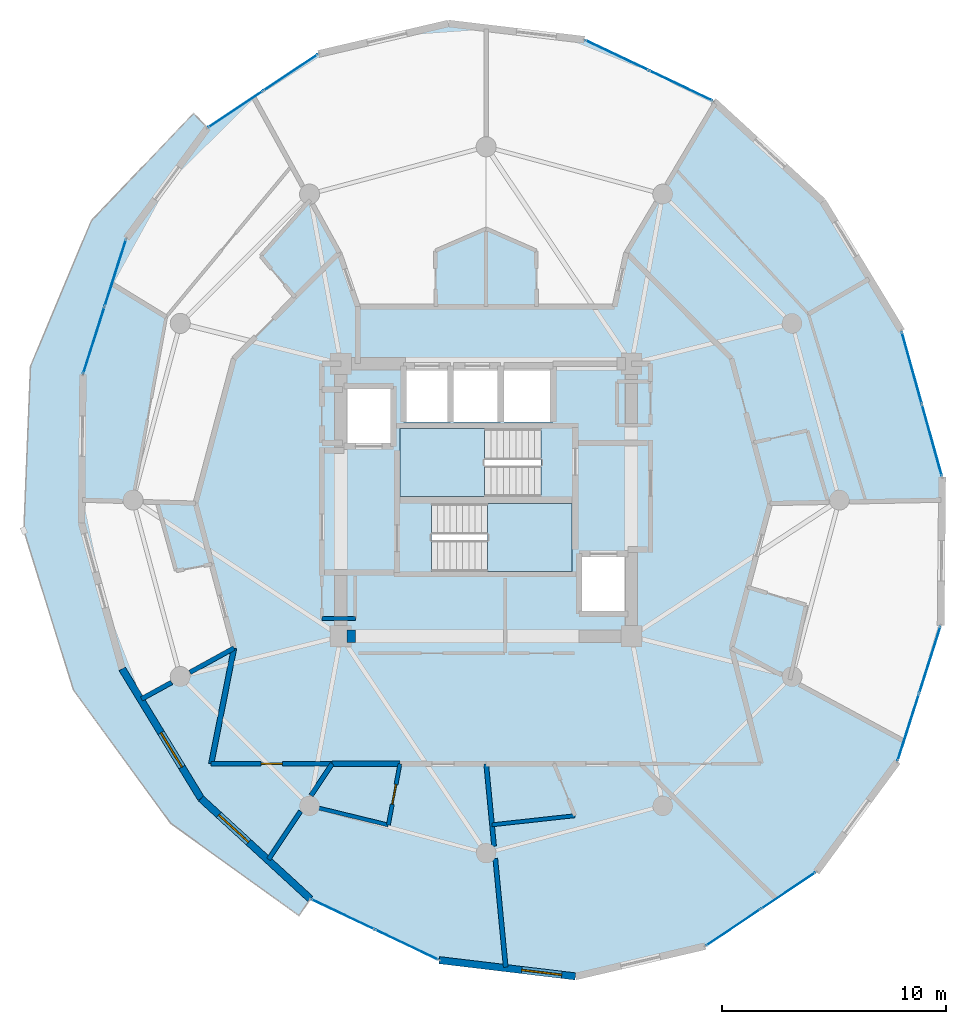
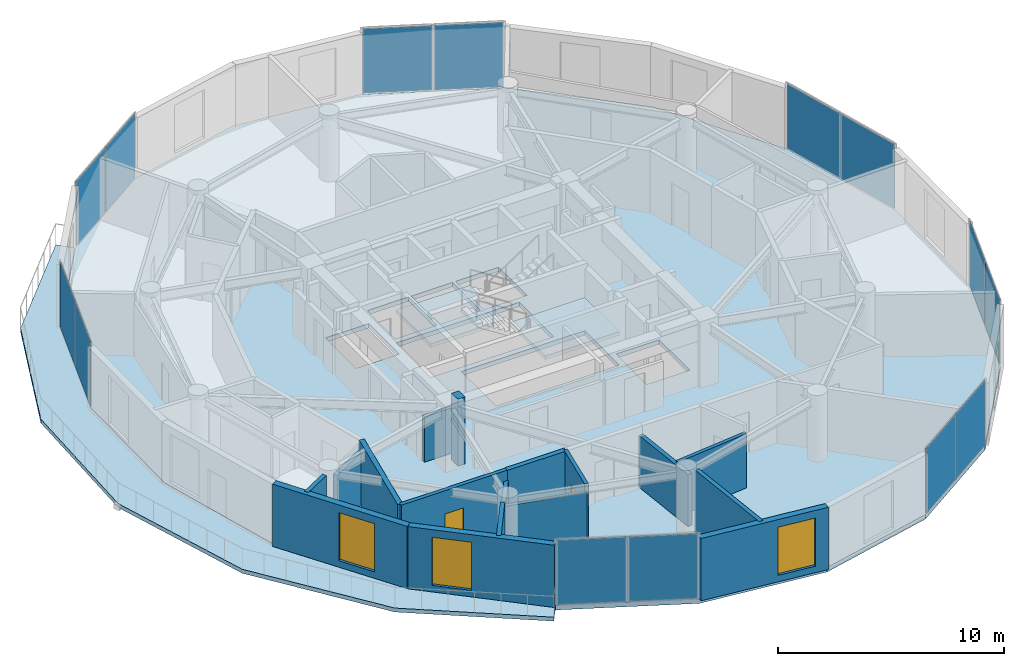
# One storey, part 14 of 20: 17 walls, 14 plates, 4 slabs, 3 windows, 2 doors, 5 openings, 9 elements without a shape of their own.
"""IFC4 building model written with IfcOpenShell, lengths in metres."""

from ifc_helpers import new_model, si_unit, direction, frame, frame_2d, origin, origin_2d, place, context, subcontext, project, spatial, polyline, rectangle, outline, extrude, source, transform, mapped, material, layer, layer_set, type_object, element, fill, aggregate, save


model = new_model("IFC4")

# Units and contexts
model_context = context("Model", 3, precision=1e-05, world=origin(), true_north=direction((0.0, 1.0)))
body_context = subcontext(model_context, "Body", "Model", "MODEL_VIEW")
ifc_project = project(units=[si_unit("LENGTHUNIT", "METRE"), si_unit("AREAUNIT", "SQUARE_METRE"), si_unit("VOLUMEUNIT", "CUBIC_METRE"), si_unit("PLANEANGLEUNIT", "RADIAN"), si_unit("MASSUNIT", "GRAM", prefix="KILO")], contexts=[model_context])

# Site, building, storey
site_placement = place(None, origin())
site = spatial("IfcSite", under=ifc_project, at=site_placement, CompositionType="ELEMENT")
building_placement = place(site_placement, origin())
building = spatial("IfcBuilding", under=site, at=building_placement, Name="Solvirekh Grand Hotel", CompositionType="ELEMENT")
storey_placement = place(building_placement, frame((0.0, 0.0, 209.199951171875)))
storey = spatial("IfcBuildingStorey", under=building, at=storey_placement, Name="L54", CompositionType="ELEMENT", Elevation=209.199951171875)

# Slab
ifc_material_1 = material(Name="Concrete C50/60", Category="concrete")
ifc_layer_1 = layer(ifc_material_1, 0.215087890625)
ifc_layer_set_1 = layer_set([ifc_layer_1], Name="Concrete C50/60")
slab_type_1 = type_object("IfcSlabType", Name="ExtCrescentBalc_215", PredefinedType="FLOOR", material=ifc_layer_set_1)
slab_1_placement = place(storey_placement, frame((0.0, 0.0, -0.21484375)))
element("IfcSlab", 1, at=slab_1_placement, inside=storey, type_object=slab_type_1, Name="L54 sweeping crescent balcony slab", PredefinedType="FLOOR", context=body_context, shape_type="SweptSolid", body=[
    extrude(outline(polyline([(-13.089111328125, 17.2919921875), (-17.657958984375, 12.490966796875), (-20.382080078125, 5.98388671875), (-20.679931640625, -1.364990234375), (-18.458984375, -8.501953125), (-14.110107421875, -14.462890625), (-8.373046875, -18.589111328125), (-7.866943359375, -17.843994140625), (-12.7548828125, -13.35498046875), (-16.281982421875, -7.55810546875), (-18.10205078125, -1.02197265625), (-18.0380859375, 5.614990234375), (-16.095947265625, 11.701904296875), (-12.465087890625, 16.64306640625), (-13.089111328125, 17.2919921875)])), origin(), (0.0, 0.0, 1.0), 0.21484375),
])

# Stair, slab
ifc_material_2 = material(Name="Concrete C40/50", Category="concrete")
stair_type = type_object("IfcStairType", Name="Stair_Core_1450", PredefinedType="HALF_TURN_STAIR", material=ifc_material_2)
stair_1_placement = place(storey_placement, origin())
stair_1 = element("IfcStair", 2, at=stair_1_placement, inside=storey, type_object=stair_type, Name="L54 Enclosed exit stair ST-1", PredefinedType="HALF_TURN_STAIR")
ifc_layer_2 = layer(ifc_material_2, 0.199951171875)
ifc_layer_set_2 = layer_set([ifc_layer_2], Name="Concrete C40/50")
slab_type_2 = type_object("IfcSlabType", Name="Landing_Stair_200", PredefinedType="LANDING", material=ifc_layer_set_2)
slab_2_placement = place(storey_placement, frame((0.0, 0.0, 1.60009765625)))
slab_2 = element("IfcSlab", 3, at=slab_2_placement, type_object=slab_type_2, Name="ST-1 landing 1", PredefinedType="LANDING", context=body_context, shape_type="SweptSolid", body=[
    extrude(outline(polyline([(0.070068359375, -3.199951171875), (3.85009765625, -3.199951171875), (3.85009765625, -0.14990234375), (0.070068359375, -0.14990234375), (0.070068359375, -3.199951171875)])), origin(), (0.0, 0.0, 1.0), 0.199951171875),
])
aggregate(stair_1, [slab_2])

stair_2_placement = place(storey_placement, origin())
stair_2 = element("IfcStair", 4, at=stair_2_placement, inside=storey, type_object=stair_type, Name="L54 Enclosed exit stair ST-2", PredefinedType="HALF_TURN_STAIR")
slab_3_placement = place(storey_placement, frame((0.0, 0.0, 1.60009765625)))
slab_3 = element("IfcSlab", 5, at=slab_3_placement, type_object=slab_type_2, Name="ST-2 landing 1", PredefinedType="LANDING", context=body_context, shape_type="SweptSolid", body=[
    extrude(outline(polyline([(-0.070068359375, 3.199951171875), (-3.85009765625, 3.199951171875), (-3.85009765625, 0.14990234375), (-0.070068359375, 0.14990234375), (-0.070068359375, 3.199951171875)])), origin(), (0.0, 0.0, 1.0), 0.199951171875),
])
aggregate(stair_2, [slab_3])

# Slab
ifc_layer_3 = layer(ifc_material_2, 0.239990234375)
ifc_layer_set_3 = layer_set([ifc_layer_3], Name="Concrete C40/50")
slab_type_3 = type_object("IfcSlabType", Name="Slab_GuestZ3_240", PredefinedType="FLOOR", material=ifc_layer_set_3)
slab_4_placement = place(storey_placement, frame((0.0, 0.0, -0.239990234375)))
element("IfcSlab", 6, at=slab_4_placement, inside=storey, type_object=slab_type_3, Name="L54 structural floor slab", PredefinedType="FLOOR", context=body_context, shape_type="SweptSolid", body=[
    extrude(outline(polyline([(9.802001953125, -19.955078125), (14.764892578125, -16.64306640625), (18.39599609375, -11.701904296875), (20.337890625, -5.614990234375), (20.402099609375, 1.02197265625), (18.58203125, 7.55810546875), (15.054931640625, 13.35498046875), (10.1669921875, 17.843994140625), (4.39697265625, 20.5869140625), (-1.69189453125, 21.31396484375), (-7.501953125, 19.955078125), (-12.465087890625, 16.64306640625), (-16.095947265625, 11.701904296875), (-18.0380859375, 5.614990234375), (-18.10205078125, -1.02197265625), (-16.281982421875, -7.55810546875), (-12.7548828125, -13.35498046875), (-7.866943359375, -17.843994140625), (-2.096923828125, -20.5869140625), (3.991943359375, -21.31396484375), (9.802001953125, -19.955078125)]), holes=[polyline([(-2.444091796875, -0.14990234375), (3.85009765625, -0.14990234375), (3.85009765625, -3.199951171875), (-2.444091796875, -3.199951171875), (-2.444091796875, -0.14990234375)]), polyline([(2.444091796875, 0.14990234375), (-3.85009765625, 0.14990234375), (-3.85009765625, 3.199951171875), (2.444091796875, 3.199951171875), (2.444091796875, 0.14990234375)]), polyline([(-3.699951171875, 6.0), (-1.60009765625, 6.0), (-1.60009765625, 3.5), (-3.699951171875, 3.5), (-3.699951171875, 6.0)]), polyline([(-1.449951171875, 6.0), (0.64990234375, 6.0), (0.64990234375, 3.5), (-1.449951171875, 3.5), (-1.449951171875, 6.0)]), polyline([(0.800048828125, 6.0), (3.0, 6.0), (3.0, 3.5), (0.800048828125, 3.5), (0.800048828125, 6.0)]), polyline([(-6.35009765625, 5.10009765625), (-4.14990234375, 5.10009765625), (-4.14990234375, 2.39990234375), (-6.35009765625, 2.39990234375), (-6.35009765625, 5.10009765625)]), polyline([(4.14990234375, -2.39990234375), (6.35009765625, -2.39990234375), (6.35009765625, -5.10009765625), (4.14990234375, -5.10009765625), (4.14990234375, -2.39990234375)])]), origin(), (0.0, 0.0, 1.0), 0.239990234375),
])

# Curtain wall, plates
ifc_material_3 = material(Name="Anodized Bronze Aluminium 6063-T6", Category="aluminium")
ifc_layer_4 = layer(ifc_material_3, 0.159912109375)
ifc_layer_set_4 = layer_set([ifc_layer_4], Name="Anodized Bronze Aluminium 6063-T6")
curtain_wall_type = type_object("IfcCurtainWallType", Name="CW_Sys4_HighZoneFlushBronzeCW", PredefinedType="NOTDEFINED", material=ifc_layer_set_4)
curtain_wall_1_placement = place(storey_placement, origin())
curtain_wall_1 = element("IfcCurtainWall", 7, at=curtain_wall_1_placement, inside=storey, type_object=curtain_wall_type, Name="L54 unitised bronze-glass curtain wall CW-L54-C01", PredefinedType="NOTDEFINED")
ifc_material_4 = material(Name="Low-E Tinted Bronze Laminated Glass", Category="aluminium")
ifc_layer_5 = layer(ifc_material_4, 0.033935546875)
ifc_layer_set_5 = layer_set([ifc_layer_5], Name="Low-E Tinted Bronze Laminated Glass")
plate_type = type_object("IfcPlateType", Name="CWPanel_High_34", PredefinedType="CURTAIN_PANEL", material=ifc_layer_set_5)
shared_shape_1 = source(origin(), body_context, "Body", "SweptSolid", [
    extrude(rectangle(XDim=2.893310546875, YDim=0.033935546875, at=origin_2d()), origin(), (0.0, 0.0, 1.0), 3.489990234375),
])
plate_1_placement = place(storey_placement, frame((11.05517578125, -19.11865234375, 0.05517578125), z_axis=(0.0, 0.0, 1.0), x_axis=(0.83179236029, 0.555086902533, 0.0)))
plate_1 = element("IfcPlate", 8, at=plate_1_placement, type_object=plate_type, Name="U04 panel 1.1", PredefinedType="CURTAIN_PANEL", context=body_context, shape_type="MappedRepresentation", body=[
    mapped(shared_shape_1, transform((0.0, 0.0, 0.0), x_axis=(1.0, 0.0, 0.0), y_axis=(0.0, 1.0, 0.0), z_axis=(0.0, 0.0, 1.0), scale=1.0)),
])
plate_2_placement = place(storey_placement, frame((13.51171875, -17.479248046875, 0.05517578125), z_axis=(0.0, 0.0, 1.0), x_axis=(0.83179236029, 0.555086902533, 0.0)))
plate_2 = element("IfcPlate", 9, at=plate_2_placement, type_object=plate_type, Name="U04 panel 2.1", PredefinedType="CURTAIN_PANEL", context=body_context, shape_type="MappedRepresentation", body=[
    mapped(shared_shape_1, transform((0.0, 0.0, 0.0), x_axis=(1.0, 0.0, 0.0), y_axis=(0.0, 1.0, 0.0), z_axis=(0.0, 0.0, 1.0), scale=1.0)),
])
aggregate(curtain_wall_1, [plate_1, plate_2])

curtain_wall_2_placement = place(storey_placement, origin())
curtain_wall_2 = element("IfcCurtainWall", 10, at=curtain_wall_2_placement, inside=storey, type_object=curtain_wall_type, Name="L54 unitised bronze-glass curtain wall CW-L54-C11", PredefinedType="NOTDEFINED")
plate_3_placement = place(storey_placement, frame((-8.755126953125, 19.11865234375, 0.05517578125), z_axis=(0.0, 0.0, 1.0), x_axis=(-0.83179236029, -0.555086902533, 0.0)))
plate_3 = element("IfcPlate", 11, at=plate_3_placement, type_object=plate_type, Name="U04 panel 1.1", PredefinedType="CURTAIN_PANEL", context=body_context, shape_type="MappedRepresentation", body=[
    mapped(shared_shape_1, transform((0.0, 0.0, 0.0), x_axis=(1.0, 0.0, 0.0), y_axis=(0.0, 1.0, 0.0), z_axis=(0.0, 0.0, 1.0), scale=1.0)),
])
plate_4_placement = place(storey_placement, frame((-11.211669921875, 17.479248046875, 0.05517578125), z_axis=(0.0, 0.0, 1.0), x_axis=(-0.83179236029, -0.555086902533, 0.0)))
plate_4 = element("IfcPlate", 12, at=plate_4_placement, type_object=plate_type, Name="U04 panel 2.1", PredefinedType="CURTAIN_PANEL", context=body_context, shape_type="MappedRepresentation", body=[
    mapped(shared_shape_1, transform((0.0, 0.0, 0.0), x_axis=(1.0, 0.0, 0.0), y_axis=(0.0, 1.0, 0.0), z_axis=(0.0, 0.0, 1.0), scale=1.0)),
])
aggregate(curtain_wall_2, [plate_3, plate_4])

curtain_wall_3_placement = place(storey_placement, origin())
curtain_wall_3 = element("IfcCurtainWall", 13, at=curtain_wall_3_placement, inside=storey, type_object=curtain_wall_type, Name="L54 unitised bronze-glass curtain wall CW-L54-C03", PredefinedType="NOTDEFINED")
shared_shape_2 = source(origin(), body_context, "Body", "SweptSolid", [
    extrude(rectangle(XDim=3.104736328125, YDim=0.033935546875, at=origin_2d()), origin(), (0.0, 0.0, 1.0), 3.489990234375),
])
plate_5_placement = place(storey_placement, frame((18.885986328125, -10.166015625, 0.05517578125), z_axis=(0.0, 0.0, 1.0), x_axis=(0.303946483698, 0.952689107237, 0.0)))
plate_5 = element("IfcPlate", 14, at=plate_5_placement, type_object=plate_type, Name="U04 panel 1.1", PredefinedType="CURTAIN_PANEL", context=body_context, shape_type="MappedRepresentation", body=[
    mapped(shared_shape_2, transform((0.0, 0.0, 0.0), x_axis=(1.0, 0.0, 0.0), y_axis=(0.0, 1.0, 0.0), z_axis=(0.0, 0.0, 1.0), scale=1.0)),
])
plate_6_placement = place(storey_placement, frame((19.847900390625, -7.151123046875, 0.05517578125), z_axis=(0.0, 0.0, 1.0), x_axis=(0.303946483698, 0.952689107237, 0.0)))
plate_6 = element("IfcPlate", 15, at=plate_6_placement, type_object=plate_type, Name="U04 panel 2.1", PredefinedType="CURTAIN_PANEL", context=body_context, shape_type="MappedRepresentation", body=[
    mapped(shared_shape_2, transform((0.0, 0.0, 0.0), x_axis=(1.0, 0.0, 0.0), y_axis=(0.0, 1.0, 0.0), z_axis=(0.0, 0.0, 1.0), scale=1.0)),
])
aggregate(curtain_wall_3, [plate_5, plate_6])

curtain_wall_4_placement = place(storey_placement, origin())
curtain_wall_4 = element("IfcCurtainWall", 16, at=curtain_wall_4_placement, inside=storey, type_object=curtain_wall_type, Name="L54 unitised bronze-glass curtain wall CW-L54-C13", PredefinedType="NOTDEFINED")
plate_7_placement = place(storey_placement, frame((-16.5859375, 10.166015625, 0.05517578125), z_axis=(0.0, 0.0, 1.0), x_axis=(-0.303946483698, -0.952689107237, 0.0)))
plate_7 = element("IfcPlate", 17, at=plate_7_placement, type_object=plate_type, Name="U04 panel 1.1", PredefinedType="CURTAIN_PANEL", context=body_context, shape_type="MappedRepresentation", body=[
    mapped(shared_shape_2, transform((0.0, 0.0, 0.0), x_axis=(1.0, 0.0, 0.0), y_axis=(0.0, 1.0, 0.0), z_axis=(0.0, 0.0, 1.0), scale=1.0)),
])
plate_8_placement = place(storey_placement, frame((-17.5478515625, 7.151123046875, 0.05517578125), z_axis=(0.0, 0.0, 1.0), x_axis=(-0.303946483698, -0.952689107237, 0.0)))
plate_8 = element("IfcPlate", 18, at=plate_8_placement, type_object=plate_type, Name="U04 panel 2.1", PredefinedType="CURTAIN_PANEL", context=body_context, shape_type="MappedRepresentation", body=[
    mapped(shared_shape_2, transform((0.0, 0.0, 0.0), x_axis=(1.0, 0.0, 0.0), y_axis=(0.0, 1.0, 0.0), z_axis=(0.0, 0.0, 1.0), scale=1.0)),
])
aggregate(curtain_wall_4, [plate_7, plate_8])

curtain_wall_5_placement = place(storey_placement, origin())
curtain_wall_5 = element("IfcCurtainWall", 19, at=curtain_wall_5_placement, inside=storey, type_object=curtain_wall_type, Name="L54 unitised bronze-glass curtain wall CW-L54-C08", PredefinedType="NOTDEFINED")
shared_shape_3 = source(origin(), body_context, "Body", "SweptSolid", [
    extrude(rectangle(XDim=3.1044921875, YDim=0.033935546875, at=origin_2d()), origin(), (0.0, 0.0, 1.0), 3.489990234375),
])
plate_9_placement = place(storey_placement, frame((8.7109375, 18.5361328125, 0.05517578125), z_axis=(0.0, 0.0, 1.0), x_axis=(-0.90314096946, 0.429344138522, 0.0)))
plate_9 = element("IfcPlate", 20, at=plate_9_placement, type_object=plate_type, Name="U04 panel 1.1", PredefinedType="CURTAIN_PANEL", context=body_context, shape_type="MappedRepresentation", body=[
    mapped(shared_shape_3, transform((0.0, 0.0, 0.0), x_axis=(1.0, 0.0, 0.0), y_axis=(0.0, 1.0, 0.0), z_axis=(0.0, 0.0, 1.0), scale=1.0)),
])
plate_10_placement = place(storey_placement, frame((5.85302734375, 19.894775390625, 0.05517578125), z_axis=(0.0, 0.0, 1.0), x_axis=(-0.90314096946, 0.429344138522, 0.0)))
plate_10 = element("IfcPlate", 21, at=plate_10_placement, type_object=plate_type, Name="U04 panel 2.1", PredefinedType="CURTAIN_PANEL", context=body_context, shape_type="MappedRepresentation", body=[
    mapped(shared_shape_3, transform((0.0, 0.0, 0.0), x_axis=(1.0, 0.0, 0.0), y_axis=(0.0, 1.0, 0.0), z_axis=(0.0, 0.0, 1.0), scale=1.0)),
])
aggregate(curtain_wall_5, [plate_9, plate_10])

curtain_wall_6_placement = place(storey_placement, origin())
curtain_wall_6 = element("IfcCurtainWall", 22, at=curtain_wall_6_placement, inside=storey, type_object=curtain_wall_type, Name="L54 unitised bronze-glass curtain wall CW-L54-C18", PredefinedType="NOTDEFINED")
plate_11_placement = place(storey_placement, frame((-6.410888671875, -18.5361328125, 0.05517578125), z_axis=(0.0, 0.0, 1.0), x_axis=(0.90314096946, -0.429344138522, 0.0)))
plate_11 = element("IfcPlate", 23, at=plate_11_placement, type_object=plate_type, Name="U04 panel 1.1", PredefinedType="CURTAIN_PANEL", context=body_context, shape_type="MappedRepresentation", body=[
    mapped(shared_shape_3, transform((0.0, 0.0, 0.0), x_axis=(1.0, 0.0, 0.0), y_axis=(0.0, 1.0, 0.0), z_axis=(0.0, 0.0, 1.0), scale=1.0)),
])
plate_12_placement = place(storey_placement, frame((-3.552978515625, -19.894775390625, 0.05517578125), z_axis=(0.0, 0.0, 1.0), x_axis=(0.90314096946, -0.429344138522, 0.0)))
plate_12 = element("IfcPlate", 24, at=plate_12_placement, type_object=plate_type, Name="U04 panel 2.1", PredefinedType="CURTAIN_PANEL", context=body_context, shape_type="MappedRepresentation", body=[
    mapped(shared_shape_3, transform((0.0, 0.0, 0.0), x_axis=(1.0, 0.0, 0.0), y_axis=(0.0, 1.0, 0.0), z_axis=(0.0, 0.0, 1.0), scale=1.0)),
])
aggregate(curtain_wall_6, [plate_11, plate_12])

curtain_wall_7_placement = place(storey_placement, origin())
curtain_wall_7 = element("IfcCurtainWall", 25, at=curtain_wall_7_placement, inside=storey, type_object=curtain_wall_type, Name="L54 unitised bronze-glass curtain wall CW-L54-C05", PredefinedType="NOTDEFINED")
shared_shape_4 = source(origin(), body_context, "Body", "SweptSolid", [
    extrude(rectangle(XDim=3.30224609375, YDim=0.033935546875, at=origin_2d()), origin(), (0.0, 0.0, 1.0), 3.489990234375),
])
plate_13_placement = place(storey_placement, frame((19.94287109375, 2.67041015625, 0.05517578125), z_axis=(0.0, 0.0, 1.0), x_axis=(-0.268251957482, 0.963348787982, 0.0)))
plate_13 = element("IfcPlate", 26, at=plate_13_placement, type_object=plate_type, Name="U04 panel 1.1", PredefinedType="CURTAIN_PANEL", context=body_context, shape_type="MappedRepresentation", body=[
    mapped(shared_shape_4, transform((0.0, 0.0, 0.0), x_axis=(1.0, 0.0, 0.0), y_axis=(0.0, 1.0, 0.0), z_axis=(0.0, 0.0, 1.0), scale=1.0)),
])
plate_14_placement = place(storey_placement, frame((19.041015625, 5.90966796875, 0.05517578125), z_axis=(0.0, 0.0, 1.0), x_axis=(-0.268251957482, 0.963348787982, 0.0)))
plate_14 = element("IfcPlate", 27, at=plate_14_placement, type_object=plate_type, Name="U04 panel 2.1", PredefinedType="CURTAIN_PANEL", context=body_context, shape_type="MappedRepresentation", body=[
    mapped(shared_shape_4, transform((0.0, 0.0, 0.0), x_axis=(1.0, 0.0, 0.0), y_axis=(0.0, 1.0, 0.0), z_axis=(0.0, 0.0, 1.0), scale=1.0)),
])
aggregate(curtain_wall_7, [plate_13, plate_14])

# Wall
ifc_layer_6 = layer(ifc_material_1, 0.550048828125)
ifc_layer_set_6 = layer_set([ifc_layer_6], Name="Concrete C50/60")
wall_type_1 = type_object("IfcWallType", Name="CoreWall_RC550", PredefinedType="SHEAR", material=ifc_layer_set_6)
wall_1_placement = place(storey_placement, frame((-6.22509765625, -6.10009765625, 0.0), z_axis=(0.0, 0.0, 1.0), x_axis=(1.0, 0.0, 0.0)))
element("IfcWall", 28, at=wall_1_placement, inside=storey, type_object=wall_type_1, Name="L54 core corner shear wall SW-S", PredefinedType="SHEAR", context=body_context, shape_type="SweptSolid", body=[
    extrude(rectangle(XDim=0.375, YDim=0.550048828125, at=frame_2d((0.1875, 0.0))), origin(), (0.0, 0.0, 1.0), 3.60009765625),
])

# Wall, opening, window
ifc_material_5 = material(Name="Precast concrete C45/55", Category="concrete")
ifc_layer_7 = layer(ifc_material_5, 0.320068359375)
ifc_layer_set_7 = layer_set([ifc_layer_7], Name="Precast concrete C45/55")
wall_type_2 = type_object("IfcWallType", Name="ExtLobbyWall_RC320", PredefinedType="SOLIDWALL", material=ifc_layer_set_7)
wall_2_placement = place(storey_placement, frame((-12.7548828125, -13.35498046875, 0.0), z_axis=(0.0, 0.0, 1.0), x_axis=(-0.519792847808, 0.854292336011, 0.0)))
wall_2 = element("IfcWall", 29, at=wall_2_placement, inside=storey, type_object=wall_type_2, Name="L54 exterior structural wall chord 16", PredefinedType="SOLIDWALL", context=body_context, shape_type="SweptSolid", body=[
    extrude(rectangle(XDim=6.78564453125, YDim=0.320068359375, at=frame_2d((3.392822265625, 0.0))), origin(), (0.0, 0.0, 1.0), 3.360107421875),
])
opening_1_placement = place(wall_2_placement, frame((1.64501953125, 0.0, 0.35009765625)))
opening_1 = element("IfcOpeningElement", 30, at=opening_1_placement, cuts=wall_2, Name="Opening W02", PredefinedType="OPENING", context=body_context, shape_type="SweptSolid", body=[
    extrude(rectangle(XDim=1.800048828125, YDim=2.60009765625, at=frame_2d((0.89990234375, 1.300048828125))), frame((0.0, 0.169921875, 0.0), z_axis=(0.0, -1.0, 0.0), x_axis=(1.0, 0.0, 0.0)), (0.0, 0.0, 1.0), 0.340087890625),
])
window_type = type_object("IfcWindowType", Name="Win_LobbyExt_1800X2600", PartitioningType="SINGLE_PANEL", PredefinedType="WINDOW", material=ifc_material_4)
window_1_placement = place(opening_1_placement, origin())
window_1 = element("IfcWindow", 31, at=window_1_placement, inside=storey, type_object=window_type, Name="L54 panoramic bronze-framed window 16", OverallHeight=2.60009765625, OverallWidth=1.800048828125, PartitioningType="SINGLE_PANEL", PredefinedType="WINDOW", context=body_context, shape_type="SweptSolid", body=[
    extrude(rectangle(XDim=1.800048828125, YDim=2.60009765625, at=frame_2d((0.89990234375, 1.300048828125))), frame((0.0, 0.030029296875, 0.0), z_axis=(0.0, -1.0, 0.0), x_axis=(1.0, 0.0, 0.0)), (0.0, 0.0, 1.0), 0.06005859375),
])
fill(opening_1, window_1)

wall_3_placement = place(storey_placement, frame((-7.866943359375, -17.843994140625, 0.0), z_axis=(0.0, 0.0, 1.0), x_axis=(-0.736523155924, 0.676412330452, 0.0)))
wall_3 = element("IfcWall", 32, at=wall_3_placement, inside=storey, type_object=wall_type_2, Name="L54 exterior structural wall chord 17", PredefinedType="SOLIDWALL", context=body_context, shape_type="SweptSolid", body=[
    extrude(rectangle(XDim=6.636474609375, YDim=0.320068359375, at=frame_2d((3.318359375, 0.0))), origin(), (0.0, 0.0, 1.0), 3.360107421875),
])
opening_2_placement = place(wall_3_placement, frame((3.75390625, 0.0, 0.35009765625)))
opening_2 = element("IfcOpeningElement", 33, at=opening_2_placement, cuts=wall_3, Name="Opening W02", PredefinedType="OPENING", context=body_context, shape_type="SweptSolid", body=[
    extrude(rectangle(XDim=1.800048828125, YDim=2.60009765625, at=frame_2d((0.89990234375, 1.300048828125))), frame((0.0, 0.169921875, 0.0), z_axis=(0.0, -1.0, 0.0), x_axis=(1.0, 0.0, 0.0)), (0.0, 0.0, 1.0), 0.340087890625),
])
window_2_placement = place(opening_2_placement, origin())
window_2 = element("IfcWindow", 34, at=window_2_placement, inside=storey, type_object=window_type, Name="L54 panoramic bronze-framed window 17", OverallHeight=2.60009765625, OverallWidth=1.800048828125, PartitioningType="SINGLE_PANEL", PredefinedType="WINDOW", context=body_context, shape_type="SweptSolid", body=[
    extrude(rectangle(XDim=1.800048828125, YDim=2.60009765625, at=frame_2d((0.89990234375, 1.300048828125))), frame((0.0, 0.030029296875, 0.0), z_axis=(0.0, -1.0, 0.0), x_axis=(1.0, 0.0, 0.0)), (0.0, 0.0, 1.0), 0.06005859375),
])
fill(opening_2, window_2)

wall_4_placement = place(storey_placement, frame((3.991943359375, -21.31396484375, 0.0), z_axis=(0.0, 0.0, 1.0), x_axis=(-0.99294637343, 0.118564326386, 0.0)))
wall_4 = element("IfcWall", 35, at=wall_4_placement, inside=storey, type_object=wall_type_2, Name="L54 exterior structural wall chord 19", PredefinedType="SOLIDWALL", context=body_context, shape_type="SweptSolid", body=[
    extrude(rectangle(XDim=6.132080078125, YDim=0.320068359375, at=frame_2d((3.06591796875, 0.0))), origin(), (0.0, 0.0, 1.0), 3.360107421875),
])
opening_3_placement = place(wall_4_placement, frame((0.62109375, 0.0, 0.35009765625)))
opening_3 = element("IfcOpeningElement", 36, at=opening_3_placement, cuts=wall_4, Name="Opening W02", PredefinedType="OPENING", context=body_context, shape_type="SweptSolid", body=[
    extrude(rectangle(XDim=1.800048828125, YDim=2.60009765625, at=frame_2d((0.89990234375, 1.300048828125))), frame((0.0, 0.169921875, 0.0), z_axis=(0.0, -1.0, 0.0), x_axis=(1.0, 0.0, 0.0)), (0.0, 0.0, 1.0), 0.340087890625),
])
window_3_placement = place(opening_3_placement, origin())
window_3 = element("IfcWindow", 37, at=window_3_placement, inside=storey, type_object=window_type, Name="L54 panoramic bronze-framed window 19", OverallHeight=2.60009765625, OverallWidth=1.800048828125, PartitioningType="SINGLE_PANEL", PredefinedType="WINDOW", context=body_context, shape_type="SweptSolid", body=[
    extrude(rectangle(XDim=1.800048828125, YDim=2.60009765625, at=frame_2d((0.89990234375, 1.300048828125))), frame((0.0, 0.030029296875, 0.0), z_axis=(0.0, -1.0, 0.0), x_axis=(1.0, 0.0, 0.0)), (0.0, 0.0, 1.0), 0.06005859375),
])
fill(opening_3, window_3)

# Walls
ifc_material_6 = material(Name="Acoustic Gypsum Partition Assembly")
ifc_layer_8 = layer(ifc_material_6, 0.1650390625)
ifc_layer_set_8 = layer_set([ifc_layer_8], Name="Acoustic Gypsum Partition Assembly")
wall_type_3 = type_object("IfcWallType", Name="Part_BOH_165", PredefinedType="PARTITIONING", material=ifc_layer_set_8)
wall_5_placement = place(storey_placement, frame((-7.35009765625, -5.300048828125, 0.0), z_axis=(0.0, 0.0, 1.0), x_axis=(1.0, 0.0, 0.0)))
element("IfcWall", 38, at=wall_5_placement, inside=storey, type_object=wall_type_3, Name="L54 L54 Butler Service Closet wall 1", PredefinedType="PARTITIONING", context=body_context, shape_type="SweptSolid", body=[
    extrude(rectangle(XDim=1.5, YDim=0.1650390625, at=frame_2d((0.75, 0.0))), origin(), (0.0, 0.0, 1.0), 2.445068359375),
])
ifc_layer_9 = layer(ifc_material_6, 0.239990234375)
ifc_layer_set_9 = layer_set([ifc_layer_9], Name="Acoustic Gypsum Partition Assembly")
wall_type_4 = type_object("IfcWallType", Name="Part_Corridor_240", PredefinedType="PARTITIONING", material=ifc_layer_set_9)
wall_6_placement = place(storey_placement, frame((-11.278076171875, -6.625, 0.0), z_axis=(0.0, 0.0, 1.0), x_axis=(-0.193739123744, -0.981053083136, 0.0)))
element("IfcWall", 39, at=wall_6_placement, inside=storey, type_object=wall_type_4, Name="L54 L54 Diplomatic Resident Lounge corridor wall 1", PredefinedType="PARTITIONING", context=body_context, shape_type="SweptSolid", body=[
    extrude(rectangle(XDim=5.27490234375, YDim=0.239990234375, at=frame_2d((2.637451171875, 0.0))), origin(), (0.0, 0.0, 1.0), 3.360107421875),
])
wall_7_placement = place(storey_placement, frame((-6.887939453125, -11.800048828125, 0.0), z_axis=(0.0, 0.0, 1.0), x_axis=(1.0, 0.0, 0.0)))
element("IfcWall", 40, at=wall_7_placement, inside=storey, type_object=wall_type_4, Name="L54 En-suite Bathroom 5607 corridor backing wall", PredefinedType="PARTITIONING", context=body_context, shape_type="SweptSolid", body=[
    extrude(rectangle(XDim=3.031005859375, YDim=0.239990234375, at=frame_2d((1.515625, 0.0))), origin(), (0.0, 0.0, 1.0), 3.360107421875),
])

# Wall, opening, door
ifc_layer_10 = layer(ifc_material_6, 0.18994140625)
ifc_layer_set_10 = layer_set([ifc_layer_10], Name="Acoustic Gypsum Partition Assembly")
wall_type_5 = type_object("IfcWallType", Name="Part_GuestDemise_190", PredefinedType="PARTITIONING", material=ifc_layer_set_10)
wall_8_placement = place(storey_placement, frame((-12.300048828125, -11.800048828125, 0.0), z_axis=(0.0, 0.0, 1.0), x_axis=(1.0, 0.0, 0.0)))
wall_8 = element("IfcWall", 41, at=wall_8_placement, inside=storey, type_object=wall_type_5, Name="L54 L54 Diplomatic Resident Lounge entrance wall", PredefinedType="PARTITIONING", context=body_context, shape_type="SweptSolid", body=[
    extrude(rectangle(XDim=5.412109375, YDim=0.18994140625, at=frame_2d((2.7060546875, 0.0))), origin(), (0.0, 0.0, 1.0), 3.360107421875),
])
opening_4_placement = place(wall_8_placement, frame((2.23095703125, 0.0, 0.0)))
opening_4 = element("IfcOpeningElement", 42, at=opening_4_placement, cuts=wall_8, Name="Opening D10", PredefinedType="OPENING", context=body_context, shape_type="SweptSolid", body=[
    extrude(rectangle(XDim=0.949951171875, YDim=2.10009765625, at=frame_2d((0.47509765625, 1.050048828125))), frame((0.0, 0.10498046875, 0.0), z_axis=(0.0, -1.0, 0.0), x_axis=(1.0, 0.0, 0.0)), (0.0, 0.0, 1.0), 0.2099609375),
])
door_type_1 = type_object("IfcDoorType", Name="Door_RoomInt_950X2100", OperationType="NOTDEFINED", PredefinedType="DOOR", material=ifc_material_3)
door_1_placement = place(opening_4_placement, origin())
door_1 = element("IfcDoor", 43, at=door_1_placement, inside=storey, type_object=door_type_1, Name="L54 L54 Diplomatic Resident Lounge entrance door", OperationType="SINGLE_SWING_RIGHT", OverallHeight=2.10009765625, OverallWidth=0.949951171875, PredefinedType="DOOR", context=body_context, shape_type="SweptSolid", body=[
    extrude(rectangle(XDim=0.949951171875, YDim=2.10009765625, at=frame_2d((0.47509765625, 1.050048828125))), frame((0.0, 0.02490234375, 0.0), z_axis=(0.0, -1.0, 0.0), x_axis=(1.0, 0.0, 0.0)), (0.0, 0.0, 1.0), 0.050048828125),
])
fill(opening_4, door_1)

# Walls
ifc_layer_11 = layer(ifc_material_6, 0.2099609375)
ifc_layer_set_11 = layer_set([ifc_layer_11], Name="Acoustic Gypsum Partition Assembly")
wall_type_6 = type_object("IfcWallType", Name="Part_SuiteDemise_210", PredefinedType="PARTITIONING", material=ifc_layer_set_11)
wall_9_placement = place(storey_placement, frame((-11.278076171875, -6.625, 0.0), z_axis=(0.0, 0.0, 1.0), x_axis=(-0.876259360779, -0.481839737513, 0.0)))
element("IfcWall", 44, at=wall_9_placement, inside=storey, type_object=wall_type_6, Name="L54 suite radial wall 8 (A)", PredefinedType="PARTITIONING", context=body_context, shape_type="SweptSolid", body=[
    extrude(rectangle(XDim=2.253662109375, YDim=0.2099609375, at=frame_2d((1.126953125, 0.0))), origin(), (0.0, 0.0, 1.0), 2.801025390625),
])
wall_10_placement = place(storey_placement, frame((-14.072998046875, -8.162109375, 0.0), z_axis=(0.0, 0.0, 1.0), x_axis=(-0.876481145855, -0.481436185761, 0.0)))
element("IfcWall", 45, at=wall_10_placement, inside=storey, type_object=wall_type_6, Name="L54 suite radial wall 8 (B)", PredefinedType="PARTITIONING", context=body_context, shape_type="SweptSolid", body=[
    extrude(rectangle(XDim=1.534423828125, YDim=0.2099609375, at=frame_2d((0.76708984375, 0.0))), origin(), (0.0, 0.0, 1.0), 3.360107421875),
])
wall_11_placement = place(storey_placement, frame((-6.887939453125, -11.800048828125, 0.0), z_axis=(0.0, 0.0, 1.0), x_axis=(-0.55420400286, -0.83238087629, 0.0)))
element("IfcWall", 46, at=wall_11_placement, inside=storey, type_object=wall_type_6, Name="L54 L54 Diplomatic Resident Lounge dividing partition 1 (A)", PredefinedType="PARTITIONING", context=body_context, shape_type="SweptSolid", body=[
    extrude(rectangle(XDim=1.70361328125, YDim=0.2099609375, at=frame_2d((0.851806640625, 0.0))), origin(), (0.0, 0.0, 1.0), 2.801025390625),
])
wall_12_placement = place(storey_placement, frame((-8.302978515625, -13.925048828125, 0.0), z_axis=(0.0, 0.0, 1.0), x_axis=(-0.554394819338, -0.832253798004, 0.0)))
element("IfcWall", 47, at=wall_12_placement, inside=storey, type_object=wall_type_6, Name="L54 L54 Diplomatic Resident Lounge dividing partition 1 (B)", PredefinedType="PARTITIONING", context=body_context, shape_type="SweptSolid", body=[
    extrude(rectangle(XDim=2.583251953125, YDim=0.2099609375, at=frame_2d((1.29150390625, 0.0))), origin(), (0.0, 0.0, 1.0), 3.360107421875),
])
wall_13_placement = place(storey_placement, frame((0.0, -11.800048828125, 0.0), z_axis=(0.0, 0.0, 1.0), x_axis=(0.095709898097, -0.995409270304, 0.0)))
element("IfcWall", 48, at=wall_13_placement, inside=storey, type_object=wall_type_6, Name="L54 Deluxe Guestroom 5607 dividing partition 1 (A)", PredefinedType="PARTITIONING", context=body_context, shape_type="SweptSolid", body=[
    extrude(rectangle(XDim=3.708984375, YDim=0.2099609375, at=frame_2d((1.8544921875, 0.0))), origin(), (0.0, 0.0, 1.0), 2.801025390625),
])
wall_14_placement = place(storey_placement, frame((0.407958984375, -16.033935546875, 0.0), z_axis=(0.0, 0.0, 1.0), x_axis=(0.095697187257, -0.995410492385, 0.0)))
element("IfcWall", 49, at=wall_14_placement, inside=storey, type_object=wall_type_6, Name="L54 Deluxe Guestroom 5607 dividing partition 1 (B)", PredefinedType="PARTITIONING", context=body_context, shape_type="SweptSolid", body=[
    extrude(rectangle(XDim=4.890625, YDim=0.2099609375, at=frame_2d((2.4453125, 0.0))), origin(), (0.0, 0.0, 1.0), 3.360107421875),
])
ifc_layer_12 = layer(ifc_material_6, 0.175048828125)
ifc_layer_set_12 = layer_set([ifc_layer_12], Name="Acoustic Gypsum Partition Assembly")
wall_type_7 = type_object("IfcWallType", Name="Plumb_Ensuite_175", PredefinedType="PLUMBINGWALL", material=ifc_layer_set_12)
wall_15_placement = place(storey_placement, frame((-8.10693359375, -13.631103515625, 0.0), z_axis=(0.0, 0.0, 1.0), x_axis=(0.971539249473, -0.236878632918, 0.0)))
element("IfcWall", 50, at=wall_15_placement, inside=storey, type_object=wall_type_7, Name="L54 En-suite Bathroom 5607 outer plumbing wall", PredefinedType="PLUMBINGWALL", context=body_context, shape_type="SweptSolid", body=[
    extrude(rectangle(XDim=3.84130859375, YDim=0.175048828125, at=frame_2d((1.920654296875, 0.0))), origin(), (0.0, 0.0, 1.0), 2.928955078125),
])

# Wall, opening, door
wall_16_placement = place(storey_placement, frame((-3.85693359375, -11.800048828125, 0.0), z_axis=(0.0, 0.0, 1.0), x_axis=(-0.185720387527, -0.982602634668, 0.0)))
wall_16 = element("IfcWall", 51, at=wall_16_placement, inside=storey, type_object=wall_type_7, Name="L54 En-suite Bathroom 5607 entry plumbing wall", PredefinedType="PLUMBINGWALL", context=body_context, shape_type="SweptSolid", body=[
    extrude(rectangle(XDim=2.78955078125, YDim=0.175048828125, at=frame_2d((1.394775390625, 0.0))), origin(), (0.0, 0.0, 1.0), 3.360107421875),
])
opening_5_placement = place(wall_16_placement, frame((0.945068359375, 0.0, 0.0)))
opening_5 = element("IfcOpeningElement", 52, at=opening_5_placement, cuts=wall_16, Name="Opening D09", PredefinedType="OPENING", context=body_context, shape_type="SweptSolid", body=[
    extrude(rectangle(XDim=0.89990234375, YDim=2.10009765625, at=frame_2d((0.449951171875, 1.050048828125))), frame((0.0, 0.09765625, 0.0), z_axis=(0.0, -1.0, 0.0), x_axis=(1.0, 0.0, 0.0)), (0.0, 0.0, 1.0), 0.195068359375),
])
door_type_2 = type_object("IfcDoorType", Name="Door_Ensuite_900X2100", OperationType="NOTDEFINED", PredefinedType="DOOR", material=ifc_material_3)
door_2_placement = place(opening_5_placement, origin())
door_2 = element("IfcDoor", 53, at=door_2_placement, inside=storey, type_object=door_type_2, Name="L54 En-suite Bathroom 5607 door", OperationType="SINGLE_SWING_LEFT", OverallHeight=2.10009765625, OverallWidth=0.89990234375, PredefinedType="DOOR", context=body_context, shape_type="SweptSolid", body=[
    extrude(rectangle(XDim=0.89990234375, YDim=2.10009765625, at=frame_2d((0.449951171875, 1.050048828125))), frame((0.0, 0.02490234375, 0.0), z_axis=(0.0, -1.0, 0.0), x_axis=(1.0, 0.0, 0.0)), (0.0, 0.0, 1.0), 0.050048828125),
])
fill(opening_5, door_2)

# Wall
wall_17_placement = place(storey_placement, frame((0.262939453125, -14.531005859375, 0.0), z_axis=(0.0, 0.0, 1.0), x_axis=(0.994021600206, 0.109183599155, 0.0)))
element("IfcWall", 54, at=wall_17_placement, inside=storey, type_object=wall_type_7, Name="L54 En-suite Bathroom 5608 outer plumbing wall", PredefinedType="PLUMBINGWALL", context=body_context, shape_type="SweptSolid", body=[
    extrude(rectangle(XDim=3.736328125, YDim=0.175048828125, at=frame_2d((1.8681640625, 0.0))), origin(), (0.0, 0.0, 1.0), 2.928955078125),
])

save(model, "model.ifc")
